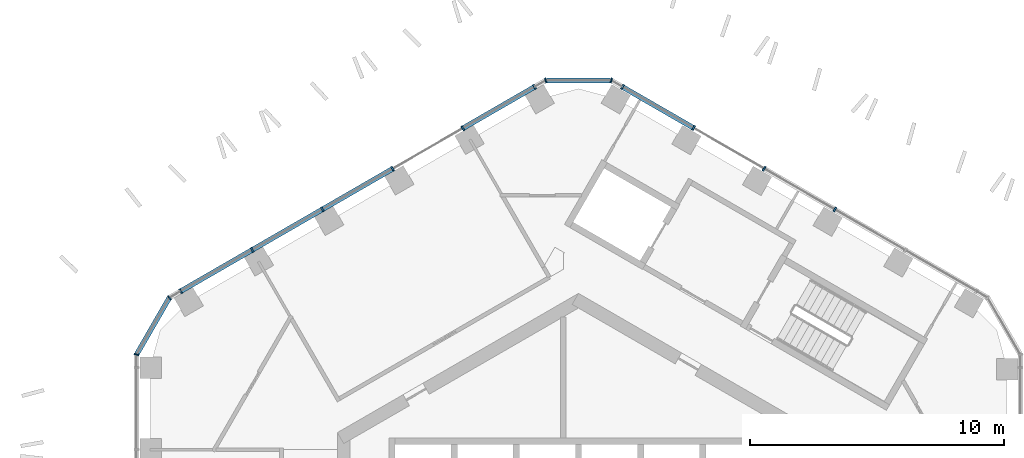
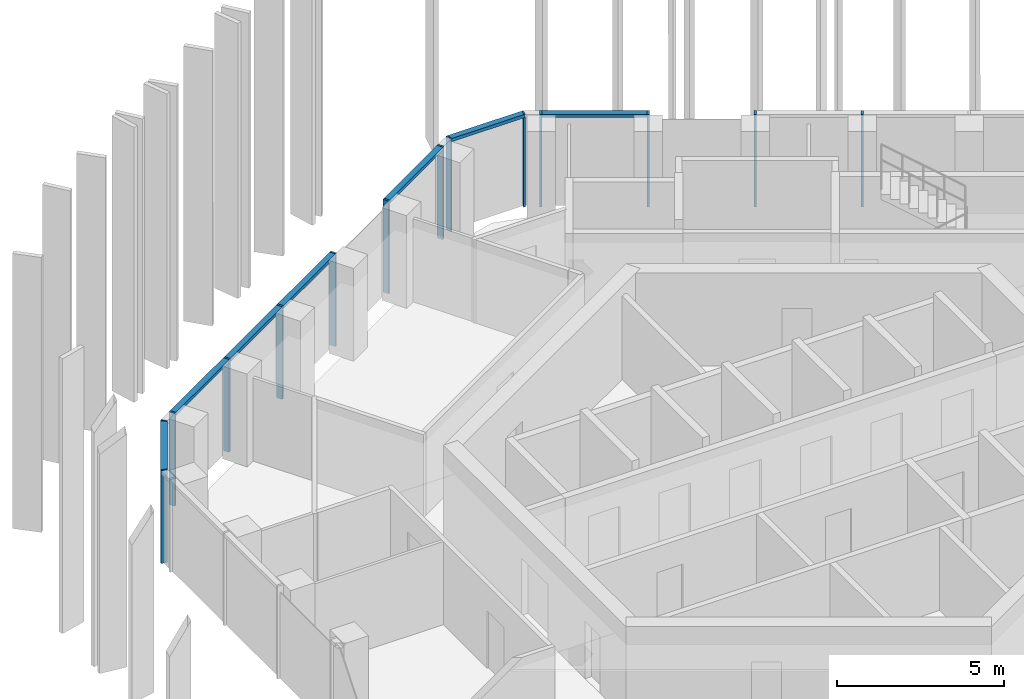
# One storey, part 5 of 18: 19 members, 4 elements without a shape of their own.
"""IFC4 building model written with IfcOpenShell, lengths in metres."""

from ifc_helpers import new_model, si_unit, direction, frame, origin, origin_2d, place, context, subcontext, project, spatial, rectangle, extrude, material, layer, layer_set, material_profile, profile_set, type_object, element, aggregate, save


model = new_model("IFC4")

# Units and contexts
model_context = context("Model", 3, precision=1e-05, world=origin(), true_north=direction((0.0, 1.0)))
body_context = subcontext(model_context, "Body", "Model", "MODEL_VIEW")
ifc_project = project(units=[si_unit("LENGTHUNIT", "METRE"), si_unit("AREAUNIT", "SQUARE_METRE"), si_unit("VOLUMEUNIT", "CUBIC_METRE"), si_unit("PLANEANGLEUNIT", "RADIAN"), si_unit("MASSUNIT", "GRAM", prefix="KILO")], contexts=[model_context])

# Site, building, storey
site_placement = place(None, origin())
site = spatial("IfcSite", under=ifc_project, at=site_placement, CompositionType="ELEMENT")
building_placement = place(site_placement, origin())
building = spatial("IfcBuilding", under=site, at=building_placement, Name="Ayvan Gate Tower", CompositionType="ELEMENT")
storey_placement = place(building_placement, frame((0.0, 0.0, 218.89990234375)))
storey = spatial("IfcBuildingStorey", under=building, at=storey_placement, Name="L58", CompositionType="ELEMENT", Elevation=218.89990234375)

# Curtain wall, members
ifc_material = material(Name="Bronze anodised aluminium", Category="aluminium")
ifc_layer_1 = layer(ifc_material, 0.199951171875)
ifc_layer_set_1 = layer_set([ifc_layer_1], Name="Bronze anodised aluminium")
curtain_wall_type_1 = type_object("IfcCurtainWallType", Name="Stick curtain wall CW-2", PredefinedType="NOTDEFINED", material=ifc_layer_set_1)
curtain_wall_1_placement = place(storey_placement, origin())
curtain_wall_1 = element("IfcCurtainWall", 1, at=curtain_wall_1_placement, inside=storey, type_object=curtain_wall_type_1, Name="Stick curtain wall CW-2 L58", PredefinedType="NOTDEFINED")
ifc_material_profile_1 = material_profile(ifc_material, rectangle(XDim=0.199951171875, YDim=0.070068359375, at=origin_2d()), Name="Stick curtain wall CW-2 mullion 200 x 70")
ifc_profile_set_1 = profile_set([ifc_material_profile_1], Name="Bronze anodised aluminium")
member_type_1 = type_object("IfcMemberType", Name="Stick curtain wall CW-2 mullion 200 x 70", PredefinedType="MULLION", material=ifc_profile_set_1)
member_1_placement = place(storey_placement, frame((-1.73291015625, 19.105712890625, 0.0), z_axis=(0.0, 0.0, 1.0), x_axis=(-0.5, 0.866025403784, 0.0)))
member_1 = element("IfcMember", 2, at=member_1_placement, type_object=member_type_1, Name="CW-2 mullion 1", PredefinedType="MULLION", context=body_context, shape_type="SweptSolid", body=[
    extrude(rectangle(XDim=0.199951171875, YDim=0.070068359375, at=origin_2d()), origin(), (0.0, 0.0, 1.0), 3.400146484375),
])
member_2_placement = place(storey_placement, frame((-4.557861328125, 17.474609375, 0.0), z_axis=(0.0, 0.0, 1.0), x_axis=(-0.5, 0.866025403784, 0.0)))
member_2 = element("IfcMember", 3, at=member_2_placement, type_object=member_type_1, Name="CW-2 mullion 2", PredefinedType="MULLION", context=body_context, shape_type="SweptSolid", body=[
    extrude(rectangle(XDim=0.199951171875, YDim=0.070068359375, at=origin_2d()), origin(), (0.0, 0.0, 1.0), 3.400146484375),
])
member_3_placement = place(storey_placement, frame((-7.3232421875, 15.878173828125, 0.0), z_axis=(0.0, 0.0, 1.0), x_axis=(-0.5, 0.866025403784, 0.0)))
member_3 = element("IfcMember", 4, at=member_3_placement, type_object=member_type_1, Name="CW-2 mullion 3", PredefinedType="MULLION", context=body_context, shape_type="SweptSolid", body=[
    extrude(rectangle(XDim=0.199951171875, YDim=0.070068359375, at=origin_2d()), origin(), (0.0, 0.0, 1.0), 3.400146484375),
])
member_4_placement = place(storey_placement, frame((-10.089111328125, 14.28125, 0.0), z_axis=(0.0, 0.0, 1.0), x_axis=(-0.5, 0.866025403784, 0.0)))
member_4 = element("IfcMember", 5, at=member_4_placement, type_object=member_type_1, Name="CW-2 mullion 4", PredefinedType="MULLION", context=body_context, shape_type="SweptSolid", body=[
    extrude(rectangle(XDim=0.199951171875, YDim=0.070068359375, at=origin_2d()), origin(), (0.0, 0.0, 1.0), 3.400146484375),
])
member_5_placement = place(storey_placement, frame((-12.8544921875, 12.684814453125, 0.0), z_axis=(0.0, 0.0, 1.0), x_axis=(-0.5, 0.866025403784, 0.0)))
member_5 = element("IfcMember", 6, at=member_5_placement, type_object=member_type_1, Name="CW-2 mullion 5", PredefinedType="MULLION", context=body_context, shape_type="SweptSolid", body=[
    extrude(rectangle(XDim=0.199951171875, YDim=0.070068359375, at=origin_2d()), origin(), (0.0, 0.0, 1.0), 3.400146484375),
])
member_6_placement = place(storey_placement, frame((-15.679443359375, 11.0537109375, 0.0), z_axis=(0.0, 0.0, 1.0), x_axis=(-0.5, 0.866025403784, 0.0)))
member_6 = element("IfcMember", 7, at=member_6_placement, type_object=member_type_1, Name="CW-2 mullion 6", PredefinedType="MULLION", context=body_context, shape_type="SweptSolid", body=[
    extrude(rectangle(XDim=0.199951171875, YDim=0.070068359375, at=origin_2d()), origin(), (0.0, 0.0, 1.0), 3.400146484375),
])

curtain_wall_2_placement = place(storey_placement, origin())
curtain_wall_2 = element("IfcCurtainWall", 8, at=curtain_wall_2_placement, inside=storey, type_object=curtain_wall_type_1, Name="Stick curtain wall CW-2 L58", PredefinedType="NOTDEFINED")
member_7_placement = place(storey_placement, frame((10.097900390625, 14.276123046875, 0.0), z_axis=(0.0, 0.0, 1.0), x_axis=(0.5, 0.866025403784, 0.0)))
member_7 = element("IfcMember", 9, at=member_7_placement, type_object=member_type_1, Name="CW-2 mullion 3", PredefinedType="MULLION", context=body_context, shape_type="SweptSolid", body=[
    extrude(rectangle(XDim=0.199951171875, YDim=0.070068359375, at=origin_2d()), origin(), (0.0, 0.0, 1.0), 3.400146484375),
])
member_8_placement = place(storey_placement, frame((7.314697265625, 15.883056640625, 0.0), z_axis=(0.0, 0.0, 1.0), x_axis=(0.5, 0.866025403784, 0.0)))
member_8 = element("IfcMember", 10, at=member_8_placement, type_object=member_type_1, Name="CW-2 mullion 4", PredefinedType="MULLION", context=body_context, shape_type="SweptSolid", body=[
    extrude(rectangle(XDim=0.199951171875, YDim=0.070068359375, at=origin_2d()), origin(), (0.0, 0.0, 1.0), 3.400146484375),
])
member_9_placement = place(storey_placement, frame((4.53125, 17.490234375, 0.0), z_axis=(0.0, 0.0, 1.0), x_axis=(0.5, 0.866025403784, 0.0)))
member_9 = element("IfcMember", 11, at=member_9_placement, type_object=member_type_1, Name="CW-2 mullion 5", PredefinedType="MULLION", context=body_context, shape_type="SweptSolid", body=[
    extrude(rectangle(XDim=0.199951171875, YDim=0.070068359375, at=origin_2d()), origin(), (0.0, 0.0, 1.0), 3.400146484375),
])
member_10_placement = place(storey_placement, frame((1.73291015625, 19.105712890625, 0.0), z_axis=(0.0, 0.0, 1.0), x_axis=(0.5, 0.866025403784, 0.0)))
member_10 = element("IfcMember", 12, at=member_10_placement, type_object=member_type_1, Name="CW-2 mullion 6", PredefinedType="MULLION", context=body_context, shape_type="SweptSolid", body=[
    extrude(rectangle(XDim=0.199951171875, YDim=0.070068359375, at=origin_2d()), origin(), (0.0, 0.0, 1.0), 3.400146484375),
])

# Member
ifc_material_profile_2 = material_profile(ifc_material, rectangle(XDim=0.199951171875, YDim=0.1201171875, at=origin_2d()), Name="Stick curtain wall CW-2 transom 200 x 120")
ifc_profile_set_2 = profile_set([ifc_material_profile_2], Name="Bronze anodised aluminium")
member_type_2 = type_object("IfcMemberType", Name="Stick curtain wall CW-2 transom 200 x 120", PredefinedType="USERDEFINED", material=ifc_profile_set_2)
member_11_placement = place(storey_placement, frame((-1.73291015625, 19.105712890625, 3.340087890625), z_axis=(-0.866023062494, -0.500004055213, 0.0), x_axis=(0.500004055213, -0.866023062494, 0.0)))
member_11 = element("IfcMember", 13, at=member_11_placement, type_object=member_type_2, Name="CW-2 transom 1", ObjectType="TRANSOM", PredefinedType="USERDEFINED", context=body_context, shape_type="SweptSolid", body=[
    extrude(rectangle(XDim=0.199951171875, YDim=0.1201171875, at=origin_2d()), origin(), (0.0, 0.0, 1.0), 3.22705078125),
])

member_12_placement = place(storey_placement, frame((-7.353515625, 15.860595703125, 3.340087890625), z_axis=(-0.866029540839, -0.499992834343, 0.0), x_axis=(0.499992834343, -0.866029540839, 0.0)))
member_12 = element("IfcMember", 14, at=member_12_placement, type_object=member_type_2, Name="CW-2 transom 2", ObjectType="TRANSOM", PredefinedType="USERDEFINED", context=body_context, shape_type="SweptSolid", body=[
    extrude(rectangle(XDim=0.199951171875, YDim=0.1201171875, at=origin_2d()), origin(), (0.0, 0.0, 1.0), 9.614013671875),
])

aggregate(curtain_wall_1, [member_1, member_2, member_3, member_4, member_5, member_6, member_11, member_12])

member_13_placement = place(storey_placement, frame((4.5009765625, 17.507568359375, 3.340087890625), z_axis=(-0.866025316205, 0.500000151692, 0.0), x_axis=(-0.500000151692, -0.866025316205, 0.0)))
member_13 = element("IfcMember", 15, at=member_13_placement, type_object=member_type_2, Name="CW-2 transom 2", ObjectType="TRANSOM", PredefinedType="USERDEFINED", context=body_context, shape_type="SweptSolid", body=[
    extrude(rectangle(XDim=0.199951171875, YDim=0.1201171875, at=origin_2d()), origin(), (0.0, 0.0, 1.0), 3.1962890625),
])

aggregate(curtain_wall_2, [member_7, member_8, member_9, member_10, member_13])

# Curtain wall, members
ifc_layer_2 = layer(ifc_material, 0.199951171875)
ifc_layer_set_2 = layer_set([ifc_layer_2], Name="Bronze anodised aluminium")
curtain_wall_type_2 = type_object("IfcCurtainWallType", Name="Stick curtain wall CW-6", PredefinedType="NOTDEFINED", material=ifc_layer_set_2)
curtain_wall_3_placement = place(storey_placement, origin())
curtain_wall_3 = element("IfcCurtainWall", 16, at=curtain_wall_3_placement, inside=storey, type_object=curtain_wall_type_2, Name="Stick curtain wall CW-6 L58", PredefinedType="NOTDEFINED")
ifc_material_profile_3 = material_profile(ifc_material, rectangle(XDim=0.199951171875, YDim=0.050048828125, at=origin_2d()), Name="Stick curtain wall CW-6 mullion 200 x 50")
ifc_profile_set_3 = profile_set([ifc_material_profile_3], Name="Bronze anodised aluminium")
member_type_3 = type_object("IfcMemberType", Name="Stick curtain wall CW-6 mullion 200 x 50", PredefinedType="MULLION", material=ifc_profile_set_3)
member_14_placement = place(storey_placement, frame((-16.12109375, 10.798583984375, 0.0), z_axis=(0.0, 0.0, 1.0), x_axis=(-0.707106781187, 0.707106781187, 0.0)))
member_14 = element("IfcMember", 17, at=member_14_placement, type_object=member_type_3, Name="CW-6 mullion 2", PredefinedType="MULLION", context=body_context, shape_type="SweptSolid", body=[
    extrude(rectangle(XDim=0.199951171875, YDim=0.050048828125, at=origin_2d()), origin(), (0.0, 0.0, 1.0), 3.400146484375),
])
member_15_placement = place(storey_placement, frame((-17.41259765625, 8.56201171875, 0.0), z_axis=(0.0, 0.0, 1.0), x_axis=(-0.965925826289, 0.258819045103, 0.0)))
member_15 = element("IfcMember", 18, at=member_15_placement, type_object=member_type_3, Name="CW-6 mullion 3", PredefinedType="MULLION", context=body_context, shape_type="SweptSolid", body=[
    extrude(rectangle(XDim=0.199951171875, YDim=0.050048828125, at=origin_2d()), origin(), (0.0, 0.0, 1.0), 3.400146484375),
])

curtain_wall_4_placement = place(storey_placement, origin())
curtain_wall_4 = element("IfcCurtainWall", 19, at=curtain_wall_4_placement, inside=storey, type_object=curtain_wall_type_2, Name="Stick curtain wall CW-6 L58", PredefinedType="NOTDEFINED")
member_16_placement = place(storey_placement, frame((1.291259765625, 19.360595703125, 0.0), z_axis=(0.0, 0.0, 1.0), x_axis=(0.258819045103, 0.965925826289, 0.0)))
member_16 = element("IfcMember", 20, at=member_16_placement, type_object=member_type_3, Name="CW-6 mullion 2", PredefinedType="MULLION", context=body_context, shape_type="SweptSolid", body=[
    extrude(rectangle(XDim=0.199951171875, YDim=0.050048828125, at=origin_2d()), origin(), (0.0, 0.0, 1.0), 3.400146484375),
])
member_17_placement = place(storey_placement, frame((-1.291259765625, 19.360595703125, 0.0), z_axis=(0.0, 0.0, 1.0), x_axis=(-0.258819045103, 0.965925826289, 0.0)))
member_17 = element("IfcMember", 21, at=member_17_placement, type_object=member_type_3, Name="CW-6 mullion 3", PredefinedType="MULLION", context=body_context, shape_type="SweptSolid", body=[
    extrude(rectangle(XDim=0.199951171875, YDim=0.050048828125, at=origin_2d()), origin(), (0.0, 0.0, 1.0), 3.400146484375),
])

# Member
ifc_material_profile_4 = material_profile(ifc_material, rectangle(XDim=0.199951171875, YDim=0.1201171875, at=origin_2d()), Name="Stick curtain wall CW-6 transom 200 x 120")
ifc_profile_set_4 = profile_set([ifc_material_profile_4], Name="Bronze anodised aluminium")
member_type_4 = type_object("IfcMemberType", Name="Stick curtain wall CW-6 transom 200 x 120", PredefinedType="USERDEFINED", material=ifc_profile_set_4)
member_18_placement = place(storey_placement, frame((-16.1337890625, 10.777099609375, 3.340087890625), z_axis=(-0.499933856714, -0.866063588261, 0.0), x_axis=(0.866063588261, -0.499933856714, 0.0)))
member_18 = element("IfcMember", 22, at=member_18_placement, type_object=member_type_4, Name="CW-6 transom 2", ObjectType="TRANSOM", PredefinedType="USERDEFINED", context=body_context, shape_type="SweptSolid", body=[
    extrude(rectangle(XDim=0.199951171875, YDim=0.1201171875, at=origin_2d()), origin(), (0.0, 0.0, 1.0), 2.532470703125),
])

aggregate(curtain_wall_3, [member_14, member_15, member_18])

member_19_placement = place(storey_placement, frame((1.266357421875, 19.360595703125, 3.340087890625), z_axis=(-1.0, 0.0, 0.0), x_axis=(0.0, -1.0, 0.0)))
member_19 = element("IfcMember", 23, at=member_19_placement, type_object=member_type_4, Name="CW-6 transom 2", ObjectType="TRANSOM", PredefinedType="USERDEFINED", context=body_context, shape_type="SweptSolid", body=[
    extrude(rectangle(XDim=0.199951171875, YDim=0.1201171875, at=origin_2d()), origin(), (0.0, 0.0, 1.0), 2.53271484375),
])

aggregate(curtain_wall_4, [member_16, member_17, member_19])

save(model, "model.ifc")
